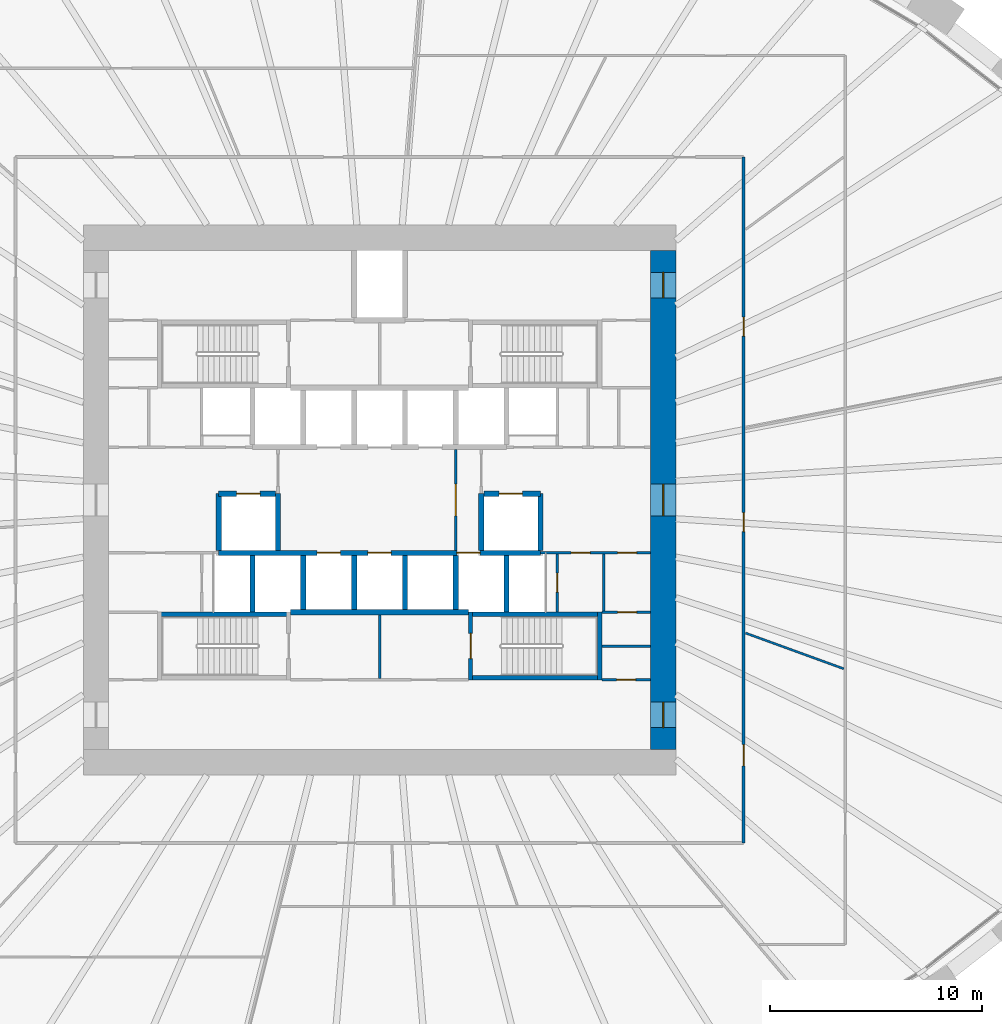
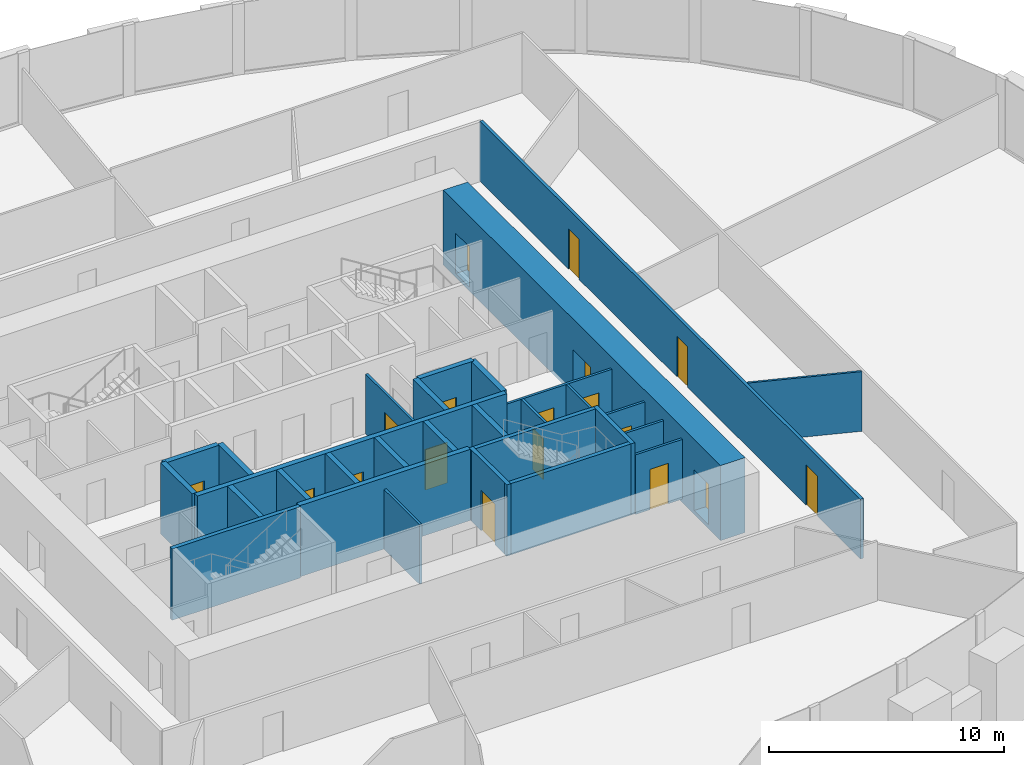
# One storey, part 7 of 10: 30 walls, 18 doors, 18 openings.
"""IFC4 building model written with IfcOpenShell, lengths in metres."""

import ifcopenshell
import ifcopenshell.guid

model = None  # the IFC model being written
_history = None  # IfcOwnerHistory: only IFC2X3 demands one
_inside = {}  # id of a spatial element -> (the spatial element, [elements in it])
_under = {}  # id of a project, library or spatial element -> (it, [spatial elements below it])
_declared = {}  # id of a project -> (the project, [libraries it declares])
_typed = {}  # id of a type object -> (the type object, [elements of that type])
_made_of = {}  # id of a material, layer set ... -> (it, [elements and type objects made of it])


def new_model(schema):
    """Start an empty IFC model of exactly this schema.

    Asked for "IFC4X3", IfcOpenShell would pick the latest addendum, in which some entities
    have other attributes; the version numbers below select the first issue.
    IFC2X3 requires an IfcOwnerHistory on every rooted entity: one is made here for all.
    """
    global model, _history
    if schema == "IFC4X3":
        model = ifcopenshell.file(schema_version=(4, 3, 0, 0))
    else:
        model = ifcopenshell.file(schema=schema)
    _inside.clear()
    _under.clear()
    _declared.clear()
    _typed.clear()
    _made_of.clear()
    _history = None
    if model.schema == "IFC2X3":
        org = make("IfcOrganization", Name="unknown")
        user = make(
            "IfcPersonAndOrganization",
            ThePerson=make("IfcPerson", FamilyName="unknown"),
            TheOrganization=org,
        )
        app = make(
            "IfcApplication",
            ApplicationDeveloper=org,
            Version="unknown",
            ApplicationFullName="unknown",
            ApplicationIdentifier="unknown",
        )
        _history = make(
            "IfcOwnerHistory",
            OwningUser=user,
            OwningApplication=app,
            ChangeAction="ADDED",
            CreationDate=0,
        )
    return model


def make(cls, **values):
    """One entity of the class cls with the attributes given. An attribute that is None is left unset."""
    return model.create_entity(
        cls, **{name: value for name, value in values.items() if value is not None}
    )


def rooted(cls, **values):
    """An entity with a GlobalId (a new one), such as an element, a storey or a relation."""
    return make(cls, GlobalId=ifcopenshell.guid.new(), OwnerHistory=_history, **values)


def si_unit(unit_type, name, prefix=None):
    """IfcSIUnit, for example si_unit("LENGTHUNIT", "METRE", prefix="MILLI")."""
    return make("IfcSIUnit", UnitType=unit_type, Prefix=prefix, Name=name)


def assignment(units):
    """IfcUnitAssignment: the units of a project."""
    return None if units is None else make("IfcUnitAssignment", Units=units)


def point(xyz):
    """IfcCartesianPoint."""
    return None if xyz is None else make("IfcCartesianPoint", Coordinates=xyz)


def direction(xyz):
    """IfcDirection."""
    return None if xyz is None else make("IfcDirection", DirectionRatios=xyz)


def frame(location, z_axis=None, x_axis=None):
    """IfcAxis2Placement3D, a coordinate frame: its origin and axes. An axis left out is left unset."""
    return make(
        "IfcAxis2Placement3D",
        Location=point(location),
        Axis=direction(z_axis),
        RefDirection=direction(x_axis),
    )


def frame_2d(location, x_axis=None):
    """IfcAxis2Placement2D, a coordinate frame in the plane: its origin and x axis."""
    return make(
        "IfcAxis2Placement2D", Location=point(location), RefDirection=direction(x_axis)
    )


def origin():
    """The frame at (0, 0, 0) with its axes left unset."""
    return frame((0.0, 0.0, 0.0))


def place(relative_to, where):
    """IfcLocalPlacement: puts the frame where relative to a parent placement (None: the world)."""
    return make(
        "IfcLocalPlacement", PlacementRelTo=relative_to, RelativePlacement=where
    )


def context(
    kind, dimensions, precision=None, world=None, true_north=None, identifier=None
):
    """IfcGeometricRepresentationContext, for example the 3D "Model" context."""
    return make(
        "IfcGeometricRepresentationContext",
        ContextIdentifier=identifier,
        ContextType=kind,
        CoordinateSpaceDimension=dimensions,
        Precision=precision,
        WorldCoordinateSystem=world,
        TrueNorth=true_north,
    )


def subcontext(parent, identifier, kind, view, scale=None):
    """IfcGeometricRepresentationSubContext, for example "Body" below "Model"."""
    return make(
        "IfcGeometricRepresentationSubContext",
        ContextIdentifier=identifier,
        ContextType=kind,
        ParentContext=parent,
        TargetScale=scale,
        TargetView=view,
    )


def project(units=None, contexts=None):
    """IfcProject with its units and contexts."""
    return rooted(
        "IfcProject",
        Name="project",
        RepresentationContexts=contexts,
        UnitsInContext=assignment(units),
    )


def spatial(cls, under=None, at=None, **own):
    """A site, building, storey or space (cls), placed at a placement, below another one or the project."""
    s = rooted(cls, ObjectPlacement=at, **own)
    if under is not None:
        _under.setdefault(under.id(), (under, []))[1].append(s)
    return s


def profile(cls, at=None, kind="AREA", **sizes):
    """A parametric profile (cls). Its sizes go by their IFC names, for example OverallWidth=200.0."""
    return make(cls, ProfileType=kind, Position=at, **sizes)


def rectangle(**sizes):
    """IfcRectangleProfileDef."""
    return profile("IfcRectangleProfileDef", **sizes)


def extrude(swept, where, along, depth):
    """IfcExtrudedAreaSolid: the profile swept, set in the frame where, extruded along a direction by depth."""
    return make(
        "IfcExtrudedAreaSolid",
        SweptArea=swept,
        Position=where,
        ExtrudedDirection=direction(along),
        Depth=depth,
    )


def shape(context_of_items, identifier, shape_type, items):
    """IfcShapeRepresentation: the items that make up one representation, for example the "Body"."""
    return make(
        "IfcShapeRepresentation",
        ContextOfItems=context_of_items,
        RepresentationIdentifier=identifier,
        RepresentationType=shape_type,
        Items=items,
    )


def source(mapping_origin, context_of_items, identifier, shape_type, items):
    """IfcRepresentationMap: a shape defined once, which mapped items show again and again."""
    return make(
        "IfcRepresentationMap",
        MappingOrigin=mapping_origin,
        MappedRepresentation=shape(context_of_items, identifier, shape_type, items),
    )


def transform(
    local_origin,
    x_axis=None,
    y_axis=None,
    z_axis=None,
    scale=None,
    scale2=None,
    scale3=None,
    uniform=True,
):
    """IfcCartesianTransformationOperator3D, or its non-uniform kind. x_axis, y_axis, z_axis: its Axis1, 2, 3."""
    if uniform:
        return make(
            "IfcCartesianTransformationOperator3D",
            Axis1=direction(x_axis),
            Axis2=direction(y_axis),
            LocalOrigin=point(local_origin),
            Scale=scale,
            Axis3=direction(z_axis),
        )
    return make(
        "IfcCartesianTransformationOperator3DnonUniform",
        Axis1=direction(x_axis),
        Axis2=direction(y_axis),
        LocalOrigin=point(local_origin),
        Scale=scale,
        Axis3=direction(z_axis),
        Scale2=scale2,
        Scale3=scale3,
    )


def mapped(mapping_source, mapping_target):
    """IfcMappedItem: shows the shape of a source again, moved by a transform."""
    return make(
        "IfcMappedItem", MappingSource=mapping_source, MappingTarget=mapping_target
    )


def material(Name=None, Category=None):
    """IfcMaterial."""
    return make("IfcMaterial", Name=Name, Category=Category)


def layer(
    of_material, thickness, ventilated=None, Name=None, Category=None, Priority=None
):
    """IfcMaterialLayer: one layer of a wall or slab, of a material (None: an air gap)."""
    return make(
        "IfcMaterialLayer",
        Material=of_material,
        LayerThickness=thickness,
        IsVentilated=ventilated,
        Name=Name,
        Category=Category,
        Priority=Priority,
    )


def layer_set(layers, Name=None):
    """IfcMaterialLayerSet."""
    return make("IfcMaterialLayerSet", MaterialLayers=layers, LayerSetName=Name)


def made_of(thing, what):
    """Note that an element or type object is made of a material, layer set ...; save() writes the relation."""
    if what is not None:
        _made_of.setdefault(what.id(), (what, []))[1].append(thing)
    return thing


def type_object(cls, material=None, **own):
    """A type object (cls), such as IfcWallType, which elements share."""
    return made_of(rooted(cls, **own), material)


def element(
    cls,
    number,
    at=None,
    inside=None,
    cuts=None,
    type_object=None,
    material=None,
    context=None,
    identifier="Body",
    shape_type=None,
    held_by="IfcProductDefinitionShape",
    body=None,
    shapes=None,
    **own,
):
    """One element of the class cls, such as IfcWall. Its Tag is "e" and its number.

    at: its placement. inside: the storey or other place that contains it. cuts: it is an
    opening in that element (IfcRelVoidsElement). A single representation is given by context,
    identifier, shape_type and body (its items); several are given by shapes. held_by: the class
    of the entity that holds the representations. save() writes the other relations.
    """
    e = rooted(cls, Tag="e%d" % number, ObjectPlacement=at, **own)
    if body is not None:
        shapes = [shape(context, identifier, shape_type, body)]
    if shapes is not None:
        e.Representation = make(held_by, Representations=shapes)
    if inside is not None:
        _inside.setdefault(inside.id(), (inside, []))[1].append(e)
    if cuts is not None:
        rooted(
            "IfcRelVoidsElement", RelatingBuildingElement=cuts, RelatedOpeningElement=e
        )
    if type_object is not None:
        _typed.setdefault(type_object.id(), (type_object, []))[1].append(e)
    return made_of(e, material)


def fill(opening, filler):
    """IfcRelFillsElement: the door or window that sits in an opening."""
    return rooted(
        "IfcRelFillsElement",
        RelatingOpeningElement=opening,
        RelatedBuildingElement=filler,
    )


def aggregate(whole, parts):
    """IfcRelAggregates: a whole, such as a stair, and the parts it consists of."""
    return rooted("IfcRelAggregates", RelatingObject=whole, RelatedObjects=parts)


def save(model, path):
    """Write the relations noted so far, then the file.

    IfcRelAggregates (storeys below a building ...), IfcRelContainedInSpatialStructure (elements
    in a storey), IfcRelDefinesByType, IfcRelAssociatesMaterial and IfcRelDeclares: one each for
    every whole, place, type object, material and project.
    """
    for whole, parts in _under.values():
        aggregate(whole, parts)
    for where, things in _inside.values():
        rooted(
            "IfcRelContainedInSpatialStructure",
            RelatedElements=things,
            RelatingStructure=where,
        )
    for kind, things in _typed.values():
        rooted("IfcRelDefinesByType", RelatedObjects=things, RelatingType=kind)
    for what, things in _made_of.values():
        rooted("IfcRelAssociatesMaterial", RelatedObjects=things, RelatingMaterial=what)
    for by, libraries in _declared.values():
        rooted("IfcRelDeclares", RelatingContext=by, RelatedDefinitions=libraries)
    model.write(path)


model = new_model("IFC4")

# Units and contexts
model_context = context("Model", 3, precision=1e-05, world=origin(), true_north=direction((0.0, 1.0)))
body_context = subcontext(model_context, "Body", "Model", "MODEL_VIEW")
ifc_project = project(units=[si_unit("LENGTHUNIT", "METRE"), si_unit("AREAUNIT", "SQUARE_METRE"), si_unit("VOLUMEUNIT", "CUBIC_METRE"), si_unit("PLANEANGLEUNIT", "RADIAN"), si_unit("MASSUNIT", "GRAM", prefix="KILO")], contexts=[model_context])

# Site, building, storey
site_placement = place(None, origin())
site = spatial("IfcSite", under=ifc_project, at=site_placement, CompositionType="ELEMENT")
building_placement = place(site_placement, origin())
building = spatial("IfcBuilding", under=site, at=building_placement, Name="Embergate Tower", CompositionType="ELEMENT")
storey_placement = place(building_placement, frame((0.0, 0.0, 117.199951171875)))
storey = spatial("IfcBuildingStorey", under=building, at=storey_placement, Name="L25", CompositionType="ELEMENT", Elevation=117.199951171875)

# Wall, openings, doors
ifc_material_1 = material(Name="Concrete C80", Category="concrete")
ifc_layer_1 = layer(ifc_material_1, 1.199951171875)
ifc_layer_set_1 = layer_set([ifc_layer_1], Name="Concrete C80")
wall_type_1 = type_object("IfcWallType", Name="Core outer wall C80 1200", PredefinedType="SHEAR", material=ifc_layer_set_1)
shared_shape_1 = source(origin(), body_context, "Body", "SweptSolid", [
    extrude(rectangle(XDim=23.60009765625, YDim=1.199951171875, at=frame_2d((11.800048828125, 0.0))), origin(), (0.0, 0.0, 1.0), 3.89990234375),
])
wall_1_placement = place(storey_placement, frame((13.39990234375, -11.800048828125, -0.199951171875), z_axis=(0.0, 0.0, 1.0), x_axis=(0.0, 1.0, 0.0)))
wall_1 = element("IfcWall", 1, at=wall_1_placement, inside=storey, type_object=wall_type_1, Name="CW-L25-E", PredefinedType="SHEAR", context=body_context, shape_type="MappedRepresentation", body=[
    mapped(shared_shape_1, transform((0.0, 0.0, 0.0))),
])
shared_shape_2 = source(origin(), body_context, "Body", "SweptSolid", [
    extrude(rectangle(XDim=1.199951171875, YDim=2.10009765625, at=frame_2d((0.60009765625, 1.050048828125))), frame((0.0, 0.60986328125, 0.0), z_axis=(0.0, -1.0, 0.0), x_axis=(1.0, 0.0, 0.0)), (0.0, 0.0, 1.0), 1.219970703125),
])
opening_1_placement = place(wall_1_placement, frame((21.35009765625, 0.0, 0.199951171875)))
opening_1 = element("IfcOpeningElement", 2, at=opening_1_placement, cuts=wall_1, Name="Opening IF-1", PredefinedType="OPENING", context=body_context, shape_type="MappedRepresentation", body=[
    mapped(shared_shape_2, transform((0.0, 0.0, 0.0))),
])
opening_2_placement = place(wall_1_placement, frame((1.050048828125, 0.0, 0.199951171875)))
opening_2 = element("IfcOpeningElement", 3, at=opening_2_placement, cuts=wall_1, Name="Opening IF-1", PredefinedType="OPENING", context=body_context, shape_type="MappedRepresentation", body=[
    mapped(shared_shape_2, transform((0.0, 0.0, 0.0))),
])
shared_shape_3 = source(origin(), body_context, "Body", "SweptSolid", [
    extrude(rectangle(XDim=1.5, YDim=2.10009765625, at=frame_2d((0.75, 1.050048828125))), frame((0.0, 0.60986328125, 0.0), z_axis=(0.0, -1.0, 0.0), x_axis=(1.0, 0.0, 0.0)), (0.0, 0.0, 1.0), 1.219970703125),
])
opening_3_placement = place(wall_1_placement, frame((11.050048828125, 0.0, 0.199951171875)))
opening_3 = element("IfcOpeningElement", 4, at=opening_3_placement, cuts=wall_1, Name="Opening IF-3", PredefinedType="OPENING", context=body_context, shape_type="MappedRepresentation", body=[
    mapped(shared_shape_3, transform((0.0, 0.0, 0.0))),
])
ifc_material_2 = material(Name="Escape fire door 1200")
door_type_1 = type_object("IfcDoorType", Name="Escape fire door 1200", OperationType="SINGLE_SWING_LEFT", PredefinedType="DOOR", material=ifc_material_2)
shared_shape_4 = source(origin(), body_context, "Body", "SweptSolid", [
    extrude(rectangle(XDim=1.199951171875, YDim=2.10009765625, at=frame_2d((0.60009765625, 1.050048828125))), frame((0.0, 0.02490234375, 0.0), z_axis=(0.0, -1.0, 0.0), x_axis=(1.0, 0.0, 0.0)), (0.0, 0.0, 1.0), 0.050048828125),
])
door_1_placement = place(opening_1_placement, origin())
door_1 = element("IfcDoor", 5, at=door_1_placement, inside=storey, type_object=door_type_1, Name="IF-1 door", OperationType="SINGLE_SWING_RIGHT", OverallHeight=2.10009765625, OverallWidth=1.199951171875, PredefinedType="DOOR", context=body_context, shape_type="MappedRepresentation", body=[
    mapped(shared_shape_4, transform((0.0, 0.0, 0.0))),
])
fill(opening_1, door_1)
door_2_placement = place(opening_2_placement, origin())
door_2 = element("IfcDoor", 6, at=door_2_placement, inside=storey, type_object=door_type_1, Name="IF-1 door", OperationType="SINGLE_SWING_LEFT", OverallHeight=2.10009765625, OverallWidth=1.199951171875, PredefinedType="DOOR", context=body_context, shape_type="MappedRepresentation", body=[
    mapped(shared_shape_4, transform((0.0, 0.0, 0.0))),
])
fill(opening_2, door_2)
ifc_material_3 = material(Name="Lobby fire door pair 1500")
door_type_2 = type_object("IfcDoorType", Name="Lobby fire door pair 1500", OperationType="DOUBLE_DOOR_SINGLE_SWING", PredefinedType="DOOR", material=ifc_material_3)
shared_shape_5 = source(origin(), body_context, "Body", "SweptSolid", [
    extrude(rectangle(XDim=1.5, YDim=2.10009765625, at=frame_2d((0.75, 1.050048828125))), frame((0.0, 0.02490234375, 0.0), z_axis=(0.0, -1.0, 0.0), x_axis=(1.0, 0.0, 0.0)), (0.0, 0.0, 1.0), 0.050048828125),
])
door_3_placement = place(opening_3_placement, origin())
door_3 = element("IfcDoor", 7, at=door_3_placement, inside=storey, type_object=door_type_2, Name="IF-3 door", OperationType="DOUBLE_DOOR_SINGLE_SWING", OverallHeight=2.10009765625, OverallWidth=1.5, PredefinedType="DOOR", context=body_context, shape_type="MappedRepresentation", body=[
    mapped(shared_shape_5, transform((0.0, 0.0, 0.0))),
])
fill(opening_3, door_3)

# Walls
ifc_material_4 = material(Name="Concrete C50", Category="concrete")
ifc_layer_2 = layer(ifc_material_4, 0.25)
ifc_layer_set_2 = layer_set([ifc_layer_2], Name="Concrete C50")
wall_type_2 = type_object("IfcWallType", Name="Hoistway wall reinforced concrete 250", PredefinedType="SHEAR", material=ifc_layer_set_2)
shared_shape_6 = source(origin(), body_context, "Body", "SweptSolid", [
    extrude(rectangle(XDim=2.675048828125, YDim=0.25, at=frame_2d((1.33740234375, 0.0))), origin(), (0.0, 0.0, 1.0), 3.699951171875),
])
for number, where, z_axis, x_axis, name in (
    (8, (-6.0, -5.300048828125, 0.0), (0.0, 0.0, 1.0), (0.0, 1.0, 0.0), "HW-1 wall"),
    (9, (6.0, -5.300048828125, 0.0), (0.0, 0.0, 1.0), (0.0, 1.0, 0.0), "HW-1 wall"),
    (10, (-4.800048828125, 0.300048828125, 0.0), (0.0, 0.0, 1.0), (0.0, -1.0, 0.0), "HW-1 wall"),
    (11, (4.800048828125, -2.375, 0.0), (0.0, 0.0, 1.0), (0.0, 1.0, 0.0), "HW-1 wall"),
):
    element("IfcWall", number, at=place(storey_placement, frame(where, z_axis=z_axis, x_axis=x_axis)), inside=storey, type_object=wall_type_2, Name=name, PredefinedType="SHEAR", context=body_context, shape_type="MappedRepresentation", body=[
        mapped(shared_shape_6, transform((0.0, 0.0, 0.0))),
    ])

# Wall, opening, door
wall_2_placement = place(storey_placement, frame((-4.925048828125, 0.300048828125, 0.0), z_axis=(0.0, 0.0, 1.0), x_axis=(-1.0, 0.0, 0.0)))
wall_2 = element("IfcWall", 12, at=wall_2_placement, inside=storey, type_object=wall_type_2, Name="HW-1 wall", PredefinedType="SHEAR", context=body_context, shape_type="MappedRepresentation", body=[
    mapped(shared_shape_6, transform((0.0, 0.0, 0.0))),
])
shared_shape_7 = source(origin(), body_context, "Body", "SweptSolid", [
    extrude(rectangle(XDim=1.10009765625, YDim=2.10009765625, at=frame_2d((0.550048828125, 1.050048828125))), frame((0.0, 0.135009765625, 0.0), z_axis=(0.0, -1.0, 0.0), x_axis=(1.0, 0.0, 0.0)), (0.0, 0.0, 1.0), 0.27001953125),
])
opening_4_placement = place(wall_2_placement, frame((0.72509765625, 0.0, 0.0)))
opening_4 = element("IfcOpeningElement", 13, at=opening_4_placement, cuts=wall_2, Name="Opening LD", PredefinedType="OPENING", context=body_context, shape_type="MappedRepresentation", body=[
    mapped(shared_shape_7, transform((0.0, 0.0, 0.0))),
])
ifc_material_5 = material(Name="Landing door sliding 1100")
door_type_3 = type_object("IfcDoorType", Name="Landing door sliding 1100", OperationType="SLIDING_TO_LEFT", PredefinedType="DOOR", material=ifc_material_5)
shared_shape_8 = source(origin(), body_context, "Body", "SweptSolid", [
    extrude(rectangle(XDim=1.10009765625, YDim=2.10009765625, at=frame_2d((0.550048828125, 1.050048828125))), frame((0.0, 0.02490234375, 0.0), z_axis=(0.0, -1.0, 0.0), x_axis=(1.0, 0.0, 0.0)), (0.0, 0.0, 1.0), 0.050048828125),
])
door_4_placement = place(opening_4_placement, origin())
door_4 = element("IfcDoor", 14, at=door_4_placement, inside=storey, type_object=door_type_3, Name="LD door", OperationType="SLIDING_TO_LEFT", OverallHeight=2.10009765625, OverallWidth=1.10009765625, PredefinedType="DOOR", context=body_context, shape_type="MappedRepresentation", body=[
    mapped(shared_shape_8, transform((0.0, 0.0, 0.0))),
])
fill(opening_4, door_4)

# Wall
wall_3_placement = place(storey_placement, frame((-7.60009765625, 0.300048828125, 0.0), z_axis=(0.0, 0.0, 1.0), x_axis=(0.0, -1.0, 0.0)))
element("IfcWall", 15, at=wall_3_placement, inside=storey, type_object=wall_type_2, Name="HW-1 wall", PredefinedType="SHEAR", context=body_context, shape_type="MappedRepresentation", body=[
    mapped(shared_shape_6, transform((0.0, 0.0, 0.0))),
])

# Wall, opening, door
wall_4_placement = place(storey_placement, frame((7.60009765625, 0.300048828125, 0.0), z_axis=(0.0, 0.0, 1.0), x_axis=(-1.0, 0.0, 0.0)))
wall_4 = element("IfcWall", 16, at=wall_4_placement, inside=storey, type_object=wall_type_2, Name="HW-1 wall", PredefinedType="SHEAR", context=body_context, shape_type="MappedRepresentation", body=[
    mapped(shared_shape_6, transform((0.0, 0.0, 0.0))),
])
opening_5_placement = place(wall_4_placement, frame((0.85009765625, 0.0, 0.0)))
opening_5 = element("IfcOpeningElement", 17, at=opening_5_placement, cuts=wall_4, Name="Opening LD", PredefinedType="OPENING", context=body_context, shape_type="MappedRepresentation", body=[
    mapped(shared_shape_7, transform((0.0, 0.0, 0.0))),
])
door_5_placement = place(opening_5_placement, origin())
door_5 = element("IfcDoor", 18, at=door_5_placement, inside=storey, type_object=door_type_3, Name="LD door", OperationType="SLIDING_TO_LEFT", OverallHeight=2.10009765625, OverallWidth=1.10009765625, PredefinedType="DOOR", context=body_context, shape_type="MappedRepresentation", body=[
    mapped(shared_shape_8, transform((0.0, 0.0, 0.0))),
])
fill(opening_5, door_5)

# Walls
wall_5_placement = place(storey_placement, frame((7.60009765625, -2.375, 0.0), z_axis=(0.0, 0.0, 1.0), x_axis=(0.0, 1.0, 0.0)))
element("IfcWall", 19, at=wall_5_placement, inside=storey, type_object=wall_type_2, Name="HW-1 wall", PredefinedType="SHEAR", context=body_context, shape_type="MappedRepresentation", body=[
    mapped(shared_shape_6, transform((0.0, 0.0, 0.0))),
])
ifc_layer_3 = layer(ifc_material_4, 0.199951171875)
ifc_layer_set_3 = layer_set([ifc_layer_3], Name="Concrete C50")
wall_type_3 = type_object("IfcWallType", Name="Stair enclosure wall reinforced concrete 250", PredefinedType="SHEAR", material=ifc_layer_set_3)
shared_shape_9 = source(origin(), body_context, "Body", "SweptSolid", [
    extrude(rectangle(XDim=6.300048828125, YDim=0.199951171875, at=frame_2d((3.14990234375, 0.0))), origin(), (0.0, 0.0, 1.0), 3.699951171875),
])
for number, where, z_axis, x_axis, name in (
    (20, (-10.5, -5.39990234375, 0.0), (0.0, 0.0, 1.0), (1.0, 0.0, 0.0), "SE-1 wall"),
    (21, (4.199951171875, -5.39990234375, 0.0), (0.0, 0.0, 1.0), (1.0, 0.0, 0.0), "SE-1 wall"),
    (22, (4.199951171875, -8.39990234375, 0.0), (0.0, 0.0, 1.0), (1.0, 0.0, 0.0), "SE-1 wall"),
):
    element("IfcWall", number, at=place(storey_placement, frame(where, z_axis=z_axis, x_axis=x_axis)), inside=storey, type_object=wall_type_3, Name=name, PredefinedType="SHEAR", context=body_context, shape_type="MappedRepresentation", body=[
        mapped(shared_shape_9, transform((0.0, 0.0, 0.0))),
    ])

# Wall, opening, door
ifc_material_6 = material(Name="Core partition blockwork 120")
ifc_layer_4 = layer(ifc_material_6, 0.1201171875)
ifc_layer_set_4 = layer_set([ifc_layer_4], Name="Core partition blockwork 120")
wall_type_4 = type_object("IfcWallType", Name="Core partition blockwork 120", PredefinedType="PARTITIONING", material=ifc_layer_set_4)
shared_shape_10 = source(origin(), body_context, "Body", "SweptSolid", [
    extrude(rectangle(XDim=2.739990234375, YDim=0.1201171875, at=frame_2d((1.3701171875, 0.0))), origin(), (0.0, 0.0, 1.0), 3.10009765625),
])
wall_6_placement = place(storey_placement, frame((8.39990234375, -5.300048828125, 0.0), z_axis=(0.0, 0.0, 1.0), x_axis=(0.0, 1.0, 0.0)))
wall_6 = element("IfcWall", 23, at=wall_6_placement, inside=storey, type_object=wall_type_4, Name="IP-3 wall", PredefinedType="PARTITIONING", context=body_context, shape_type="MappedRepresentation", body=[
    mapped(shared_shape_10, transform((0.0, 0.0, 0.0))),
])
shared_shape_11 = source(origin(), body_context, "Body", "SweptSolid", [
    extrude(rectangle(XDim=0.89990234375, YDim=2.10009765625, at=frame_2d((0.449951171875, 1.050048828125))), frame((0.0, 0.070068359375, 0.0), z_axis=(0.0, -1.0, 0.0), x_axis=(1.0, 0.0, 0.0)), (0.0, 0.0, 1.0), 0.14013671875),
])
opening_6_placement = place(wall_6_placement, frame((0.949951171875, 0.0, 0.0)))
opening_6 = element("IfcOpeningElement", 24, at=opening_6_placement, cuts=wall_6, Name="Opening ID-1", PredefinedType="OPENING", context=body_context, shape_type="MappedRepresentation", body=[
    mapped(shared_shape_11, transform((0.0, 0.0, 0.0))),
])
ifc_material_7 = material(Name="Interior door 900")
door_type_4 = type_object("IfcDoorType", Name="Interior door 900", OperationType="SINGLE_SWING_LEFT", PredefinedType="DOOR", material=ifc_material_7)
shared_shape_12 = source(origin(), body_context, "Body", "SweptSolid", [
    extrude(rectangle(XDim=0.89990234375, YDim=2.10009765625, at=frame_2d((0.449951171875, 1.050048828125))), frame((0.0, 0.02490234375, 0.0), z_axis=(0.0, -1.0, 0.0), x_axis=(1.0, 0.0, 0.0)), (0.0, 0.0, 1.0), 0.050048828125),
])
door_6_placement = place(opening_6_placement, origin())
door_6 = element("IfcDoor", 25, at=door_6_placement, inside=storey, type_object=door_type_4, Name="ID-1 door", OperationType="SINGLE_SWING_LEFT", OverallHeight=2.10009765625, OverallWidth=0.89990234375, PredefinedType="DOOR", context=body_context, shape_type="MappedRepresentation", body=[
    mapped(shared_shape_12, transform((0.0, 0.0, 0.0))),
])
fill(opening_6, door_6)

# Walls
shared_shape_13 = source(origin(), body_context, "Body", "SweptSolid", [
    extrude(rectangle(XDim=2.550048828125, YDim=0.25, at=frame_2d((1.27490234375, 0.0))), origin(), (0.0, 0.0, 1.0), 3.699951171875),
])
for number, where, z_axis, x_axis, name in (
    (26, (-3.60009765625, -5.175048828125, 0.0), (0.0, 0.0, 1.0), (0.0, 1.0, 0.0), "HW-1 wall"),
    (27, (-1.199951171875, -5.175048828125, 0.0), (0.0, 0.0, 1.0), (0.0, 1.0, 0.0), "HW-1 wall"),
    (28, (1.199951171875, -5.175048828125, 0.0), (0.0, 0.0, 1.0), (0.0, 1.0, 0.0), "HW-1 wall"),
    (29, (3.60009765625, -5.175048828125, 0.0), (0.0, 0.0, 1.0), (0.0, 1.0, 0.0), "HW-1 wall"),
):
    element("IfcWall", number, at=place(storey_placement, frame(where, z_axis=z_axis, x_axis=x_axis)), inside=storey, type_object=wall_type_2, Name=name, PredefinedType="SHEAR", context=body_context, shape_type="MappedRepresentation", body=[
        mapped(shared_shape_13, transform((0.0, 0.0, 0.0))),
    ])
shared_shape_14 = source(origin(), body_context, "Body", "SweptSolid", [
    extrude(rectangle(XDim=8.39990234375, YDim=0.25, at=frame_2d((4.199951171875, 0.0))), origin(), (0.0, 0.0, 1.0), 3.699951171875),
])
wall_7_placement = place(storey_placement, frame((-4.199951171875, -5.300048828125, 0.0), z_axis=(0.0, 0.0, 1.0), x_axis=(1.0, 0.0, 0.0)))
element("IfcWall", 30, at=wall_7_placement, inside=storey, type_object=wall_type_2, Name="HW-1 wall", PredefinedType="SHEAR", context=body_context, shape_type="MappedRepresentation", body=[
    mapped(shared_shape_14, transform((0.0, 0.0, 0.0))),
])

# Wall, openings, doors
shared_shape_15 = source(origin(), body_context, "Body", "SweptSolid", [
    extrude(rectangle(XDim=15.2001953125, YDim=0.25, at=frame_2d((7.60009765625, 0.0))), origin(), (0.0, 0.0, 1.0), 3.699951171875),
])
wall_8_placement = place(storey_placement, frame((7.60009765625, -2.5, 0.0), z_axis=(0.0, 0.0, 1.0), x_axis=(-1.0, 0.0, 0.0)))
wall_8 = element("IfcWall", 31, at=wall_8_placement, inside=storey, type_object=wall_type_2, Name="HW-1 wall", PredefinedType="SHEAR", context=body_context, shape_type="MappedRepresentation", body=[
    mapped(shared_shape_15, transform((0.0, 0.0, 0.0))),
])
opening_7_placement = place(wall_8_placement, frame((9.449951171875, 0.0, 0.0)))
opening_7 = element("IfcOpeningElement", 32, at=opening_7_placement, cuts=wall_8, Name="Opening LD", PredefinedType="OPENING", context=body_context, shape_type="MappedRepresentation", body=[
    mapped(shared_shape_7, transform((0.0, 0.0, 0.0))),
])
opening_8_placement = place(wall_8_placement, frame((7.050048828125, 0.0, 0.0)))
opening_8 = element("IfcOpeningElement", 33, at=opening_8_placement, cuts=wall_8, Name="Opening LD", PredefinedType="OPENING", context=body_context, shape_type="MappedRepresentation", body=[
    mapped(shared_shape_7, transform((0.0, 0.0, 0.0))),
])
opening_9_placement = place(wall_8_placement, frame((2.85009765625, 0.0, 0.0)))
opening_9 = element("IfcOpeningElement", 34, at=opening_9_placement, cuts=wall_8, Name="Opening LD", PredefinedType="OPENING", context=body_context, shape_type="MappedRepresentation", body=[
    mapped(shared_shape_7, transform((0.0, 0.0, 0.0))),
])
door_7_placement = place(opening_7_placement, origin())
door_7 = element("IfcDoor", 35, at=door_7_placement, inside=storey, type_object=door_type_3, Name="LD door", OperationType="SLIDING_TO_RIGHT", OverallHeight=2.10009765625, OverallWidth=1.10009765625, PredefinedType="DOOR", context=body_context, shape_type="MappedRepresentation", body=[
    mapped(shared_shape_8, transform((0.0, 0.0, 0.0))),
])
fill(opening_7, door_7)
door_8_placement = place(opening_8_placement, origin())
door_8 = element("IfcDoor", 36, at=door_8_placement, inside=storey, type_object=door_type_3, Name="LD door", OperationType="SLIDING_TO_LEFT", OverallHeight=2.10009765625, OverallWidth=1.10009765625, PredefinedType="DOOR", context=body_context, shape_type="MappedRepresentation", body=[
    mapped(shared_shape_8, transform((0.0, 0.0, 0.0))),
])
fill(opening_8, door_8)
door_9_placement = place(opening_9_placement, origin())
door_9 = element("IfcDoor", 37, at=door_9_placement, inside=storey, type_object=door_type_3, Name="LD door", OperationType="SLIDING_TO_LEFT", OverallHeight=2.10009765625, OverallWidth=1.10009765625, PredefinedType="DOOR", context=body_context, shape_type="MappedRepresentation", body=[
    mapped(shared_shape_8, transform((0.0, 0.0, 0.0))),
])
fill(opening_9, door_9)

shared_shape_16 = source(origin(), body_context, "Body", "SweptSolid", [
    extrude(rectangle(XDim=5.199951171875, YDim=0.1201171875, at=frame_2d((2.60009765625, 0.0))), origin(), (0.0, 0.0, 1.0), 3.10009765625),
])
wall_9_placement = place(storey_placement, frame((12.800048828125, -2.5, 0.0), z_axis=(0.0, 0.0, 1.0), x_axis=(-1.0, 0.0, 0.0)))
wall_9 = element("IfcWall", 38, at=wall_9_placement, inside=storey, type_object=wall_type_4, Name="IP-3 wall", PredefinedType="PARTITIONING", context=body_context, shape_type="MappedRepresentation", body=[
    mapped(shared_shape_16, transform((0.0, 0.0, 0.0))),
])
opening_10_placement = place(wall_9_placement, frame((2.85009765625, 0.0, 0.0)))
opening_10 = element("IfcOpeningElement", 39, at=opening_10_placement, cuts=wall_9, Name="Opening ID-1", PredefinedType="OPENING", context=body_context, shape_type="MappedRepresentation", body=[
    mapped(shared_shape_11, transform((0.0, 0.0, 0.0))),
])
opening_11_placement = place(wall_9_placement, frame((0.64990234375, 0.0, 0.0)))
opening_11 = element("IfcOpeningElement", 40, at=opening_11_placement, cuts=wall_9, Name="Opening ID-1", PredefinedType="OPENING", context=body_context, shape_type="MappedRepresentation", body=[
    mapped(shared_shape_11, transform((0.0, 0.0, 0.0))),
])
door_10_placement = place(opening_10_placement, origin())
door_10 = element("IfcDoor", 41, at=door_10_placement, inside=storey, type_object=door_type_4, Name="ID-1 door", OperationType="SINGLE_SWING_RIGHT", OverallHeight=2.10009765625, OverallWidth=0.89990234375, PredefinedType="DOOR", context=body_context, shape_type="MappedRepresentation", body=[
    mapped(shared_shape_12, transform((0.0, 0.0, 0.0))),
])
fill(opening_10, door_10)
door_11_placement = place(opening_11_placement, origin())
door_11 = element("IfcDoor", 42, at=door_11_placement, inside=storey, type_object=door_type_4, Name="ID-1 door", OperationType="SINGLE_SWING_LEFT", OverallHeight=2.10009765625, OverallWidth=0.89990234375, PredefinedType="DOOR", context=body_context, shape_type="MappedRepresentation", body=[
    mapped(shared_shape_12, transform((0.0, 0.0, 0.0))),
])
fill(opening_11, door_11)

# Wall, opening, door
shared_shape_17 = source(origin(), body_context, "Body", "SweptSolid", [
    extrude(rectangle(XDim=4.75, YDim=0.1201171875, at=frame_2d((2.375, 0.0))), origin(), (0.0, 0.0, 1.0), 3.10009765625),
])
wall_10_placement = place(storey_placement, frame((3.60009765625, -2.375, 0.0), z_axis=(0.0, 0.0, 1.0), x_axis=(0.0, 1.0, 0.0)))
wall_10 = element("IfcWall", 43, at=wall_10_placement, inside=storey, type_object=wall_type_4, Name="IP-3 wall", PredefinedType="PARTITIONING", context=body_context, shape_type="MappedRepresentation", body=[
    mapped(shared_shape_17, transform((0.0, 0.0, 0.0))),
])
shared_shape_18 = source(origin(), body_context, "Body", "SweptSolid", [
    extrude(rectangle(XDim=1.5, YDim=2.10009765625, at=frame_2d((0.75, 1.050048828125))), frame((0.0, 0.070068359375, 0.0), z_axis=(0.0, -1.0, 0.0), x_axis=(1.0, 0.0, 0.0)), (0.0, 0.0, 1.0), 0.14013671875),
])
opening_12_placement = place(wall_10_placement, frame((1.625, 0.0, 0.0)))
opening_12 = element("IfcOpeningElement", 44, at=opening_12_placement, cuts=wall_10, Name="Opening IF-3", PredefinedType="OPENING", context=body_context, shape_type="MappedRepresentation", body=[
    mapped(shared_shape_18, transform((0.0, 0.0, 0.0))),
])
door_12_placement = place(opening_12_placement, origin())
door_12 = element("IfcDoor", 45, at=door_12_placement, inside=storey, type_object=door_type_2, Name="IF-3 door", OperationType="DOUBLE_DOOR_SINGLE_SWING", OverallHeight=2.10009765625, OverallWidth=1.5, PredefinedType="DOOR", context=body_context, shape_type="MappedRepresentation", body=[
    mapped(shared_shape_5, transform((0.0, 0.0, 0.0))),
])
fill(opening_12, door_12)

shared_shape_19 = source(origin(), body_context, "Body", "SweptSolid", [
    extrude(rectangle(XDim=3.199951171875, YDim=0.199951171875, at=frame_2d((1.60009765625, 0.0))), origin(), (0.0, 0.0, 1.0), 3.699951171875),
])
wall_11_placement = place(storey_placement, frame((4.300048828125, -5.300048828125, 0.0), z_axis=(0.0, 0.0, 1.0), x_axis=(0.0, -1.0, 0.0)))
wall_11 = element("IfcWall", 46, at=wall_11_placement, inside=storey, type_object=wall_type_3, Name="SE-1 wall", PredefinedType="SHEAR", context=body_context, shape_type="MappedRepresentation", body=[
    mapped(shared_shape_19, transform((0.0, 0.0, 0.0))),
])
shared_shape_20 = source(origin(), body_context, "Body", "SweptSolid", [
    extrude(rectangle(XDim=1.199951171875, YDim=2.10009765625, at=frame_2d((0.60009765625, 1.050048828125))), frame((0.0, 0.10986328125, 0.0), z_axis=(0.0, -1.0, 0.0), x_axis=(1.0, 0.0, 0.0)), (0.0, 0.0, 1.0), 0.219970703125),
])
opening_13_placement = place(wall_11_placement, frame((1.0, 0.0, 0.0)))
opening_13 = element("IfcOpeningElement", 47, at=opening_13_placement, cuts=wall_11, Name="Opening IF-2", PredefinedType="OPENING", context=body_context, shape_type="MappedRepresentation", body=[
    mapped(shared_shape_20, transform((0.0, 0.0, 0.0))),
])
ifc_material_8 = material(Name="Stair enclosure door 1200")
door_type_5 = type_object("IfcDoorType", Name="Stair enclosure door 1200", OperationType="SINGLE_SWING_LEFT", PredefinedType="DOOR", material=ifc_material_8)
door_13_placement = place(opening_13_placement, origin())
door_13 = element("IfcDoor", 48, at=door_13_placement, inside=storey, type_object=door_type_5, Name="IF-2 door", OperationType="SINGLE_SWING_RIGHT", OverallHeight=2.10009765625, OverallWidth=1.199951171875, PredefinedType="DOOR", context=body_context, shape_type="MappedRepresentation", body=[
    mapped(shared_shape_4, transform((0.0, 0.0, 0.0))),
])
fill(opening_13, door_13)

# Walls
wall_12_placement = place(storey_placement, frame((10.39990234375, -8.5, 0.0), z_axis=(0.0, 0.0, 1.0), x_axis=(0.0, 1.0, 0.0)))
element("IfcWall", 49, at=wall_12_placement, inside=storey, type_object=wall_type_3, Name="SE-1 wall", PredefinedType="SHEAR", context=body_context, shape_type="MappedRepresentation", body=[
    mapped(shared_shape_19, transform((0.0, 0.0, 0.0))),
])
shared_shape_21 = source(origin(), body_context, "Body", "SweptSolid", [
    extrude(rectangle(XDim=3.014892578125, YDim=0.1201171875, at=frame_2d((1.50732421875, 0.0))), origin(), (0.0, 0.0, 1.0), 3.10009765625),
])
wall_13_placement = place(storey_placement, frame((0.0, -8.43994140625, 0.0), z_axis=(0.0, 0.0, 1.0), x_axis=(0.0, 1.0, 0.0)))
element("IfcWall", 50, at=wall_13_placement, inside=storey, type_object=wall_type_4, Name="IP-3 wall", PredefinedType="PARTITIONING", context=body_context, shape_type="MappedRepresentation", body=[
    mapped(shared_shape_21, transform((0.0, 0.0, 0.0))),
])

# Wall, opening, door
shared_shape_22 = source(origin(), body_context, "Body", "SweptSolid", [
    extrude(rectangle(XDim=2.300048828125, YDim=0.1201171875, at=frame_2d((1.14990234375, 0.0))), origin(), (0.0, 0.0, 1.0), 3.10009765625),
])
wall_14_placement = place(storey_placement, frame((12.800048828125, -8.5, 0.0), z_axis=(0.0, 0.0, 1.0), x_axis=(-1.0, 0.0, 0.0)))
wall_14 = element("IfcWall", 51, at=wall_14_placement, inside=storey, type_object=wall_type_4, Name="IP-3 wall", PredefinedType="PARTITIONING", context=body_context, shape_type="MappedRepresentation", body=[
    mapped(shared_shape_22, transform((0.0, 0.0, 0.0))),
])
opening_14_placement = place(wall_14_placement, frame((0.699951171875, 0.0, 0.0)))
opening_14 = element("IfcOpeningElement", 52, at=opening_14_placement, cuts=wall_14, Name="Opening ID-1", PredefinedType="OPENING", context=body_context, shape_type="MappedRepresentation", body=[
    mapped(shared_shape_11, transform((0.0, 0.0, 0.0))),
])
door_14_placement = place(opening_14_placement, origin())
door_14 = element("IfcDoor", 53, at=door_14_placement, inside=storey, type_object=door_type_4, Name="ID-1 door", OperationType="SINGLE_SWING_RIGHT", OverallHeight=2.10009765625, OverallWidth=0.89990234375, PredefinedType="DOOR", context=body_context, shape_type="MappedRepresentation", body=[
    mapped(shared_shape_12, transform((0.0, 0.0, 0.0))),
])
fill(opening_14, door_14)

wall_15_placement = place(storey_placement, frame((10.5, -5.300048828125, 0.0), z_axis=(0.0, 0.0, 1.0), x_axis=(1.0, 0.0, 0.0)))
wall_15 = element("IfcWall", 54, at=wall_15_placement, inside=storey, type_object=wall_type_4, Name="IP-3 wall", PredefinedType="PARTITIONING", context=body_context, shape_type="MappedRepresentation", body=[
    mapped(shared_shape_22, transform((0.0, 0.0, 0.0))),
])
opening_15_placement = place(wall_15_placement, frame((0.75, 0.0, 0.0)))
opening_15 = element("IfcOpeningElement", 55, at=opening_15_placement, cuts=wall_15, Name="Opening ID-1", PredefinedType="OPENING", context=body_context, shape_type="MappedRepresentation", body=[
    mapped(shared_shape_11, transform((0.0, 0.0, 0.0))),
])
door_15_placement = place(opening_15_placement, origin())
door_15 = element("IfcDoor", 56, at=door_15_placement, inside=storey, type_object=door_type_4, Name="ID-1 door", OperationType="SINGLE_SWING_LEFT", OverallHeight=2.10009765625, OverallWidth=0.89990234375, PredefinedType="DOOR", context=body_context, shape_type="MappedRepresentation", body=[
    mapped(shared_shape_12, transform((0.0, 0.0, 0.0))),
])
fill(opening_15, door_15)

# Walls
wall_16_placement = place(storey_placement, frame((12.800048828125, -6.89990234375, 0.0), z_axis=(0.0, 0.0, 1.0), x_axis=(-1.0, 0.0, 0.0)))
element("IfcWall", 57, at=wall_16_placement, inside=storey, type_object=wall_type_4, Name="IP-3 wall", PredefinedType="PARTITIONING", context=body_context, shape_type="MappedRepresentation", body=[
    mapped(shared_shape_22, transform((0.0, 0.0, 0.0))),
])
shared_shape_23 = source(origin(), body_context, "Body", "SweptSolid", [
    extrude(rectangle(XDim=2.679931640625, YDim=0.1201171875, at=frame_2d((1.33984375, 0.0))), origin(), (0.0, 0.0, 1.0), 3.10009765625),
])
wall_17_placement = place(storey_placement, frame((10.60009765625, -5.239990234375, 0.0), z_axis=(0.0, 0.0, 1.0), x_axis=(0.0, 1.0, 0.0)))
element("IfcWall", 58, at=wall_17_placement, inside=storey, type_object=wall_type_4, Name="IP-3 wall", PredefinedType="PARTITIONING", context=body_context, shape_type="MappedRepresentation", body=[
    mapped(shared_shape_23, transform((0.0, 0.0, 0.0))),
])

# Wall, openings, doors
ifc_material_9 = material(Name="Corridor wall dry-lined 150")
ifc_layer_5 = layer(ifc_material_9, 0.14990234375)
ifc_layer_set_5 = layer_set([ifc_layer_5], Name="Corridor wall dry-lined 150")
wall_type_5 = type_object("IfcWallType", Name="Corridor wall dry-lined 150", PredefinedType="PARTITIONING", material=ifc_layer_set_5)
shared_shape_24 = source(origin(), body_context, "Body", "SweptSolid", [
    extrude(rectangle(XDim=32.39990234375, YDim=0.14990234375, at=frame_2d((16.199951171875, 0.0))), origin(), (0.0, 0.0, 1.0), 3.10009765625),
])
wall_18_placement = place(storey_placement, frame((17.199951171875, 16.199951171875, 0.0), z_axis=(0.0, 0.0, 1.0), x_axis=(0.0, -1.0, 0.0)))
wall_18 = element("IfcWall", 59, at=wall_18_placement, inside=storey, type_object=wall_type_5, Name="IP-2 wall", PredefinedType="PARTITIONING", context=body_context, shape_type="MappedRepresentation", body=[
    mapped(shared_shape_24, transform((0.0, 0.0, 0.0))),
])
shared_shape_25 = source(origin(), body_context, "Body", "SweptSolid", [
    extrude(rectangle(XDim=1.0, YDim=2.10009765625, at=frame_2d((0.5, 1.050048828125))), frame((0.0, 0.0849609375, 0.0), z_axis=(0.0, -1.0, 0.0), x_axis=(1.0, 0.0, 0.0)), (0.0, 0.0, 1.0), 0.169921875),
])
opening_16_placement = place(wall_18_placement, frame((27.761962890625, 0.0, 0.0)))
opening_16 = element("IfcOpeningElement", 60, at=opening_16_placement, cuts=wall_18, Name="Opening ID-2", PredefinedType="OPENING", context=body_context, shape_type="MappedRepresentation", body=[
    mapped(shared_shape_25, transform((0.0, 0.0, 0.0))),
])
shared_shape_26 = source(origin(), body_context, "Body", "SweptSolid", [
    extrude(rectangle(XDim=0.89990234375, YDim=2.10009765625, at=frame_2d((0.449951171875, 1.050048828125))), frame((0.0, 0.0849609375, 0.0), z_axis=(0.0, -1.0, 0.0), x_axis=(1.0, 0.0, 0.0)), (0.0, 0.0, 1.0), 0.169921875),
])
opening_17_placement = place(wall_18_placement, frame((16.791015625, 0.0, 0.0)))
opening_17 = element("IfcOpeningElement", 61, at=opening_17_placement, cuts=wall_18, Name="Opening IF-1c", PredefinedType="OPENING", context=body_context, shape_type="MappedRepresentation", body=[
    mapped(shared_shape_26, transform((0.0, 0.0, 0.0))),
])
opening_18_placement = place(wall_18_placement, frame((7.556884765625, 0.0, 0.0)))
opening_18 = element("IfcOpeningElement", 62, at=opening_18_placement, cuts=wall_18, Name="Opening IF-1c", PredefinedType="OPENING", context=body_context, shape_type="MappedRepresentation", body=[
    mapped(shared_shape_26, transform((0.0, 0.0, 0.0))),
])
ifc_material_10 = material(Name="Escape fire door 900")
door_type_6 = type_object("IfcDoorType", Name="Escape fire door 900", OperationType="SINGLE_SWING_LEFT", PredefinedType="DOOR", material=ifc_material_10)
door_16_placement = place(opening_17_placement, origin())
door_16 = element("IfcDoor", 63, at=door_16_placement, inside=storey, type_object=door_type_6, Name="IF-1 door", OperationType="SINGLE_SWING_LEFT", OverallHeight=2.10009765625, OverallWidth=0.89990234375, PredefinedType="DOOR", context=body_context, shape_type="MappedRepresentation", body=[
    mapped(shared_shape_12, transform((0.0, 0.0, 0.0))),
])
fill(opening_17, door_16)
door_17_placement = place(opening_18_placement, origin())
door_17 = element("IfcDoor", 64, at=door_17_placement, inside=storey, type_object=door_type_6, Name="IF-1 door", OperationType="SINGLE_SWING_RIGHT", OverallHeight=2.10009765625, OverallWidth=0.89990234375, PredefinedType="DOOR", context=body_context, shape_type="MappedRepresentation", body=[
    mapped(shared_shape_12, transform((0.0, 0.0, 0.0))),
])
fill(opening_18, door_17)
ifc_material_11 = material(Name="Interior door 1000")
door_type_7 = type_object("IfcDoorType", Name="Interior door 1000", OperationType="SINGLE_SWING_LEFT", PredefinedType="DOOR", material=ifc_material_11)
shared_shape_27 = source(origin(), body_context, "Body", "SweptSolid", [
    extrude(rectangle(XDim=1.0, YDim=2.10009765625, at=frame_2d((0.5, 1.050048828125))), frame((0.0, 0.02490234375, 0.0), z_axis=(0.0, -1.0, 0.0), x_axis=(1.0, 0.0, 0.0)), (0.0, 0.0, 1.0), 0.050048828125),
])
door_18_placement = place(opening_16_placement, origin())
door_18 = element("IfcDoor", 65, at=door_18_placement, inside=storey, type_object=door_type_7, Name="ID-2 door", OperationType="SINGLE_SWING_LEFT", OverallHeight=2.10009765625, OverallWidth=1.0, PredefinedType="DOOR", context=body_context, shape_type="MappedRepresentation", body=[
    mapped(shared_shape_27, transform((0.0, 0.0, 0.0))),
])
fill(opening_16, door_18)

# Wall
ifc_material_12 = material(Name="Partition dry-lined 100")
ifc_layer_6 = layer(ifc_material_12, 0.10009765625)
ifc_layer_set_6 = layer_set([ifc_layer_6], Name="Partition dry-lined 100")
wall_type_6 = type_object("IfcWallType", Name="Partition dry-lined 100", PredefinedType="PARTITIONING", material=ifc_layer_set_6)
shared_shape_28 = source(origin(), body_context, "Body", "SweptSolid", [
    extrude(rectangle(XDim=4.9384765625, YDim=0.10009765625, at=frame_2d((2.46923828125, 0.0))), origin(), (0.0, 0.0, 1.0), 3.10009765625),
])
wall_19_placement = place(storey_placement, frame((21.93310546875, -7.97509765625, 0.0), z_axis=(0.0, 0.0, 1.0), x_axis=(-0.93977321454, 0.341798632579, 0.0)))
element("IfcWall", 66, at=wall_19_placement, inside=storey, type_object=wall_type_6, Name="IP-1 wall", PredefinedType="PARTITIONING", context=body_context, shape_type="MappedRepresentation", body=[
    mapped(shared_shape_28, transform((0.0, 0.0, 0.0))),
])

save(model, "model.ifc")
